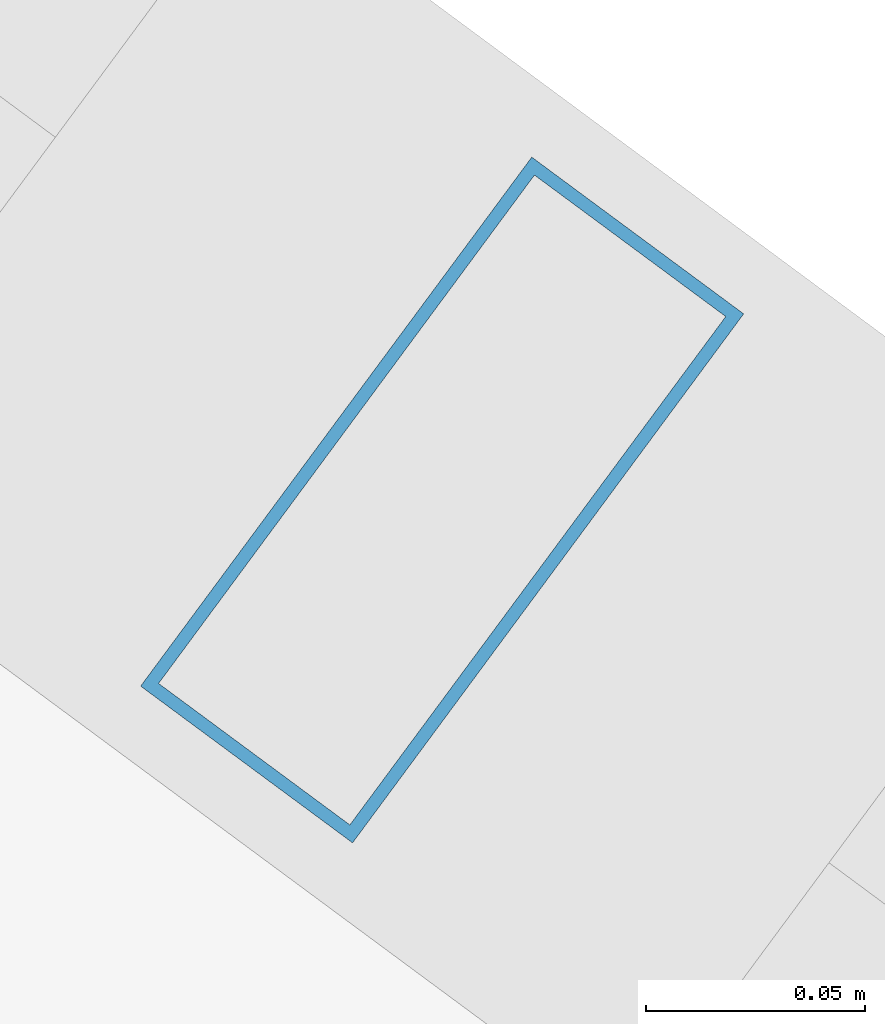
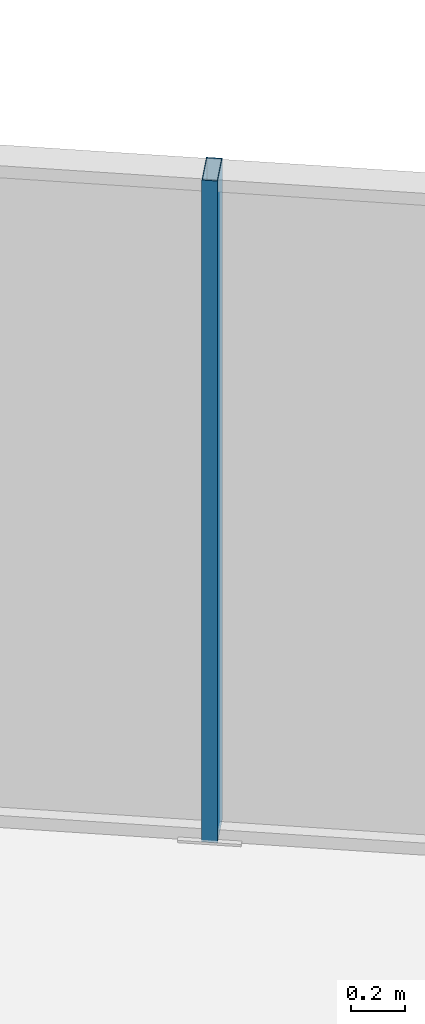
# One storey, part 16 of 30: 1 member, 1 element without a shape of its own.
"""IFC4 building model written with IfcOpenShell, lengths in metres."""

import ifcopenshell
import ifcopenshell.guid

model = None  # the IFC model being written
_history = None  # IfcOwnerHistory: only IFC2X3 demands one
_inside = {}  # id of a spatial element -> (the spatial element, [elements in it])
_under = {}  # id of a project, library or spatial element -> (it, [spatial elements below it])
_declared = {}  # id of a project -> (the project, [libraries it declares])
_typed = {}  # id of a type object -> (the type object, [elements of that type])
_made_of = {}  # id of a material, layer set ... -> (it, [elements and type objects made of it])


def new_model(schema):
    """Start an empty IFC model of exactly this schema.

    Asked for "IFC4X3", IfcOpenShell would pick the latest addendum, in which some entities
    have other attributes; the version numbers below select the first issue.
    IFC2X3 requires an IfcOwnerHistory on every rooted entity: one is made here for all.
    """
    global model, _history
    if schema == "IFC4X3":
        model = ifcopenshell.file(schema_version=(4, 3, 0, 0))
    else:
        model = ifcopenshell.file(schema=schema)
    _inside.clear()
    _under.clear()
    _declared.clear()
    _typed.clear()
    _made_of.clear()
    _history = None
    if model.schema == "IFC2X3":
        org = make("IfcOrganization", Name="unknown")
        user = make(
            "IfcPersonAndOrganization",
            ThePerson=make("IfcPerson", FamilyName="unknown"),
            TheOrganization=org,
        )
        app = make(
            "IfcApplication",
            ApplicationDeveloper=org,
            Version="unknown",
            ApplicationFullName="unknown",
            ApplicationIdentifier="unknown",
        )
        _history = make(
            "IfcOwnerHistory",
            OwningUser=user,
            OwningApplication=app,
            ChangeAction="ADDED",
            CreationDate=0,
        )
    return model


def make(cls, **values):
    """One entity of the class cls with the attributes given. An attribute that is None is left unset."""
    return model.create_entity(
        cls, **{name: value for name, value in values.items() if value is not None}
    )


def rooted(cls, **values):
    """An entity with a GlobalId (a new one), such as an element, a storey or a relation."""
    return make(cls, GlobalId=ifcopenshell.guid.new(), OwnerHistory=_history, **values)


def si_unit(unit_type, name, prefix=None):
    """IfcSIUnit, for example si_unit("LENGTHUNIT", "METRE", prefix="MILLI")."""
    return make("IfcSIUnit", UnitType=unit_type, Prefix=prefix, Name=name)


def assignment(units):
    """IfcUnitAssignment: the units of a project."""
    return None if units is None else make("IfcUnitAssignment", Units=units)


def point(xyz):
    """IfcCartesianPoint."""
    return None if xyz is None else make("IfcCartesianPoint", Coordinates=xyz)


def direction(xyz):
    """IfcDirection."""
    return None if xyz is None else make("IfcDirection", DirectionRatios=xyz)


def frame(location, z_axis=None, x_axis=None):
    """IfcAxis2Placement3D, a coordinate frame: its origin and axes. An axis left out is left unset."""
    return make(
        "IfcAxis2Placement3D",
        Location=point(location),
        Axis=direction(z_axis),
        RefDirection=direction(x_axis),
    )


def frame_2d(location, x_axis=None):
    """IfcAxis2Placement2D, a coordinate frame in the plane: its origin and x axis."""
    return make(
        "IfcAxis2Placement2D", Location=point(location), RefDirection=direction(x_axis)
    )


def origin():
    """The frame at (0, 0, 0) with its axes left unset."""
    return frame((0.0, 0.0, 0.0))


def origin_2d():
    """The frame at (0, 0) in the plane with its x axis left unset."""
    return frame_2d((0.0, 0.0))


def place(relative_to, where):
    """IfcLocalPlacement: puts the frame where relative to a parent placement (None: the world)."""
    return make(
        "IfcLocalPlacement", PlacementRelTo=relative_to, RelativePlacement=where
    )


def context(
    kind, dimensions, precision=None, world=None, true_north=None, identifier=None
):
    """IfcGeometricRepresentationContext, for example the 3D "Model" context."""
    return make(
        "IfcGeometricRepresentationContext",
        ContextIdentifier=identifier,
        ContextType=kind,
        CoordinateSpaceDimension=dimensions,
        Precision=precision,
        WorldCoordinateSystem=world,
        TrueNorth=true_north,
    )


def subcontext(parent, identifier, kind, view, scale=None):
    """IfcGeometricRepresentationSubContext, for example "Body" below "Model"."""
    return make(
        "IfcGeometricRepresentationSubContext",
        ContextIdentifier=identifier,
        ContextType=kind,
        ParentContext=parent,
        TargetScale=scale,
        TargetView=view,
    )


def project(units=None, contexts=None):
    """IfcProject with its units and contexts."""
    return rooted(
        "IfcProject",
        Name="project",
        RepresentationContexts=contexts,
        UnitsInContext=assignment(units),
    )


def spatial(cls, under=None, at=None, **own):
    """A site, building, storey or space (cls), placed at a placement, below another one or the project."""
    s = rooted(cls, ObjectPlacement=at, **own)
    if under is not None:
        _under.setdefault(under.id(), (under, []))[1].append(s)
    return s


def profile(cls, at=None, kind="AREA", **sizes):
    """A parametric profile (cls). Its sizes go by their IFC names, for example OverallWidth=200.0."""
    return make(cls, ProfileType=kind, Position=at, **sizes)


def hollow_rectangle(**sizes):
    """IfcRectangleHollowProfileDef."""
    return profile("IfcRectangleHollowProfileDef", **sizes)


def extrude(swept, where, along, depth):
    """IfcExtrudedAreaSolid: the profile swept, set in the frame where, extruded along a direction by depth."""
    return make(
        "IfcExtrudedAreaSolid",
        SweptArea=swept,
        Position=where,
        ExtrudedDirection=direction(along),
        Depth=depth,
    )


def shape(context_of_items, identifier, shape_type, items):
    """IfcShapeRepresentation: the items that make up one representation, for example the "Body"."""
    return make(
        "IfcShapeRepresentation",
        ContextOfItems=context_of_items,
        RepresentationIdentifier=identifier,
        RepresentationType=shape_type,
        Items=items,
    )


def source(mapping_origin, context_of_items, identifier, shape_type, items):
    """IfcRepresentationMap: a shape defined once, which mapped items show again and again."""
    return make(
        "IfcRepresentationMap",
        MappingOrigin=mapping_origin,
        MappedRepresentation=shape(context_of_items, identifier, shape_type, items),
    )


def transform(
    local_origin,
    x_axis=None,
    y_axis=None,
    z_axis=None,
    scale=None,
    scale2=None,
    scale3=None,
    uniform=True,
):
    """IfcCartesianTransformationOperator3D, or its non-uniform kind. x_axis, y_axis, z_axis: its Axis1, 2, 3."""
    if uniform:
        return make(
            "IfcCartesianTransformationOperator3D",
            Axis1=direction(x_axis),
            Axis2=direction(y_axis),
            LocalOrigin=point(local_origin),
            Scale=scale,
            Axis3=direction(z_axis),
        )
    return make(
        "IfcCartesianTransformationOperator3DnonUniform",
        Axis1=direction(x_axis),
        Axis2=direction(y_axis),
        LocalOrigin=point(local_origin),
        Scale=scale,
        Axis3=direction(z_axis),
        Scale2=scale2,
        Scale3=scale3,
    )


def mapped(mapping_source, mapping_target):
    """IfcMappedItem: shows the shape of a source again, moved by a transform."""
    return make(
        "IfcMappedItem", MappingSource=mapping_source, MappingTarget=mapping_target
    )


def material(Name=None, Category=None):
    """IfcMaterial."""
    return make("IfcMaterial", Name=Name, Category=Category)


def layer(
    of_material, thickness, ventilated=None, Name=None, Category=None, Priority=None
):
    """IfcMaterialLayer: one layer of a wall or slab, of a material (None: an air gap)."""
    return make(
        "IfcMaterialLayer",
        Material=of_material,
        LayerThickness=thickness,
        IsVentilated=ventilated,
        Name=Name,
        Category=Category,
        Priority=Priority,
    )


def layer_set(layers, Name=None):
    """IfcMaterialLayerSet."""
    return make("IfcMaterialLayerSet", MaterialLayers=layers, LayerSetName=Name)


def material_profile(
    of_material, cross_section, Name=None, Category=None, Priority=None
):
    """IfcMaterialProfile: a cross section and its material."""
    return make(
        "IfcMaterialProfile",
        Name=Name,
        Material=of_material,
        Profile=cross_section,
        Priority=Priority,
        Category=Category,
    )


def profile_set(profiles, Name=None, composite=None):
    """IfcMaterialProfileSet."""
    return make(
        "IfcMaterialProfileSet",
        Name=Name,
        MaterialProfiles=profiles,
        CompositeProfile=composite,
    )


def made_of(thing, what):
    """Note that an element or type object is made of a material, layer set ...; save() writes the relation."""
    if what is not None:
        _made_of.setdefault(what.id(), (what, []))[1].append(thing)
    return thing


def type_object(cls, material=None, **own):
    """A type object (cls), such as IfcWallType, which elements share."""
    return made_of(rooted(cls, **own), material)


def element(
    cls,
    number,
    at=None,
    inside=None,
    cuts=None,
    type_object=None,
    material=None,
    context=None,
    identifier="Body",
    shape_type=None,
    held_by="IfcProductDefinitionShape",
    body=None,
    shapes=None,
    **own,
):
    """One element of the class cls, such as IfcWall. Its Tag is "e" and its number.

    at: its placement. inside: the storey or other place that contains it. cuts: it is an
    opening in that element (IfcRelVoidsElement). A single representation is given by context,
    identifier, shape_type and body (its items); several are given by shapes. held_by: the class
    of the entity that holds the representations. save() writes the other relations.
    """
    e = rooted(cls, Tag="e%d" % number, ObjectPlacement=at, **own)
    if body is not None:
        shapes = [shape(context, identifier, shape_type, body)]
    if shapes is not None:
        e.Representation = make(held_by, Representations=shapes)
    if inside is not None:
        _inside.setdefault(inside.id(), (inside, []))[1].append(e)
    if cuts is not None:
        rooted(
            "IfcRelVoidsElement", RelatingBuildingElement=cuts, RelatedOpeningElement=e
        )
    if type_object is not None:
        _typed.setdefault(type_object.id(), (type_object, []))[1].append(e)
    return made_of(e, material)


def aggregate(whole, parts):
    """IfcRelAggregates: a whole, such as a stair, and the parts it consists of."""
    return rooted("IfcRelAggregates", RelatingObject=whole, RelatedObjects=parts)


def save(model, path):
    """Write the relations noted so far, then the file.

    IfcRelAggregates (storeys below a building ...), IfcRelContainedInSpatialStructure (elements
    in a storey), IfcRelDefinesByType, IfcRelAssociatesMaterial and IfcRelDeclares: one each for
    every whole, place, type object, material and project.
    """
    for whole, parts in _under.values():
        aggregate(whole, parts)
    for where, things in _inside.values():
        rooted(
            "IfcRelContainedInSpatialStructure",
            RelatedElements=things,
            RelatingStructure=where,
        )
    for kind, things in _typed.values():
        rooted("IfcRelDefinesByType", RelatedObjects=things, RelatingType=kind)
    for what, things in _made_of.values():
        rooted("IfcRelAssociatesMaterial", RelatedObjects=things, RelatingMaterial=what)
    for by, libraries in _declared.values():
        rooted("IfcRelDeclares", RelatingContext=by, RelatedDefinitions=libraries)
    model.write(path)


model = new_model("IFC4")

# Units and contexts
model_context = context("Model", 3, precision=1e-05, world=origin(), true_north=direction((0.0, 1.0)))
body_context = subcontext(model_context, "Body", "Model", "MODEL_VIEW")
ifc_project = project(units=[si_unit("LENGTHUNIT", "METRE"), si_unit("AREAUNIT", "SQUARE_METRE"), si_unit("VOLUMEUNIT", "CUBIC_METRE"), si_unit("PLANEANGLEUNIT", "RADIAN"), si_unit("MASSUNIT", "GRAM", prefix="KILO")], contexts=[model_context])

# Site, building, storey
site_placement = place(None, origin())
site = spatial("IfcSite", under=ifc_project, at=site_placement, CompositionType="ELEMENT")
building_placement = place(site_placement, origin())
building = spatial("IfcBuilding", under=site, at=building_placement, Name="Veraguas Prism Commons", CompositionType="ELEMENT")
storey_placement = place(building_placement, frame((0.0, 0.0, 230.050048828125)))
storey = spatial("IfcBuildingStorey", under=building, at=storey_placement, Name="L65", CompositionType="ELEMENT", Elevation=230.050048828125)

# Curtain wall, member
ifc_material = material(Name="Anodised aluminium EN AW-6063 T6", Category="aluminium")
ifc_layer = layer(ifc_material, 0.14990234375, Name="Unitised Flush Curtain Wall Zone 4", Category="aluminium")
ifc_layer_set = layer_set([ifc_layer], Name="Anodised aluminium EN AW-6063 T6")
curtain_wall_type = type_object("IfcCurtainWallType", Name="Unitised Flush Curtain Wall Zone 4", PredefinedType="NOTDEFINED", material=ifc_layer_set)
curtain_wall_placement = place(storey_placement, origin())
curtain_wall = element("IfcCurtainWall", 1, at=curtain_wall_placement, inside=storey, type_object=curtain_wall_type, Name="Tower Facade Curtain Wall L65-F1", PredefinedType="NOTDEFINED")
ifc_material_profile = material_profile(ifc_material, hollow_rectangle(XDim=0.06005859375, YDim=0.14990234375, WallThickness=0.0029296875, at=origin_2d()), Name="AL60X150X3")
ifc_profile_set = profile_set([ifc_material_profile], Name="Anodised aluminium EN AW-6063 T6")
member_type = type_object("IfcMemberType", Name="Curtain Wall Mullion Upper AL 60x150x3", PredefinedType="MULLION", material=ifc_profile_set)
shared_shape = source(origin(), body_context, "Body", "SweptSolid", [
    extrude(hollow_rectangle(XDim=0.06005859375, YDim=0.14990234375, WallThickness=0.0029296875, at=origin_2d()), origin(), (0.0, 0.0, 1.0), 3.014892578125),
])
member_placement = place(storey_placement, frame((33.782958984375, 37.23046875, 0.0), z_axis=(0.0, 0.0, 1.0), x_axis=(-0.804067556966, 0.59453794146, 0.0)))
member = element("IfcMember", 2, at=member_placement, type_object=member_type, Name="CW-Z4 Mullion 3", PredefinedType="MULLION", context=body_context, shape_type="MappedRepresentation", body=[
    mapped(shared_shape, transform((0.0, 0.0, 0.0), scale=1.0)),
])
aggregate(curtain_wall, [member])

save(model, "model.ifc")
